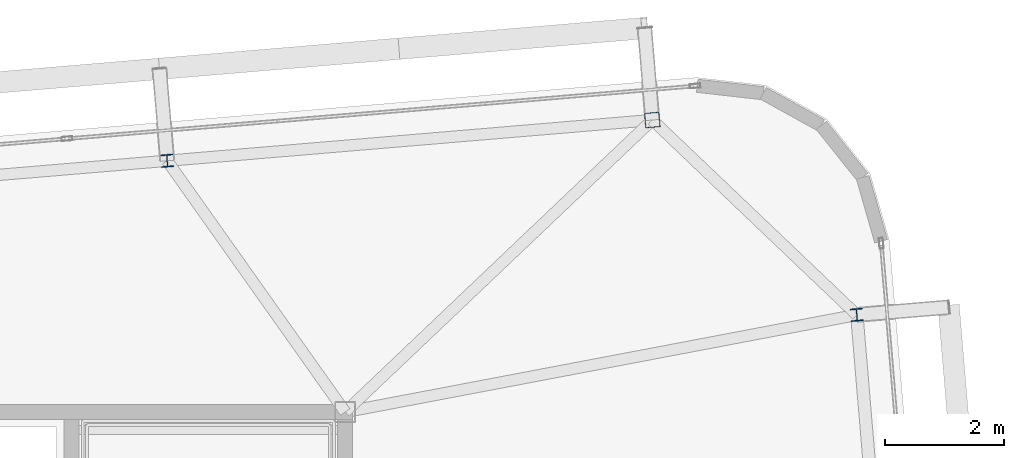
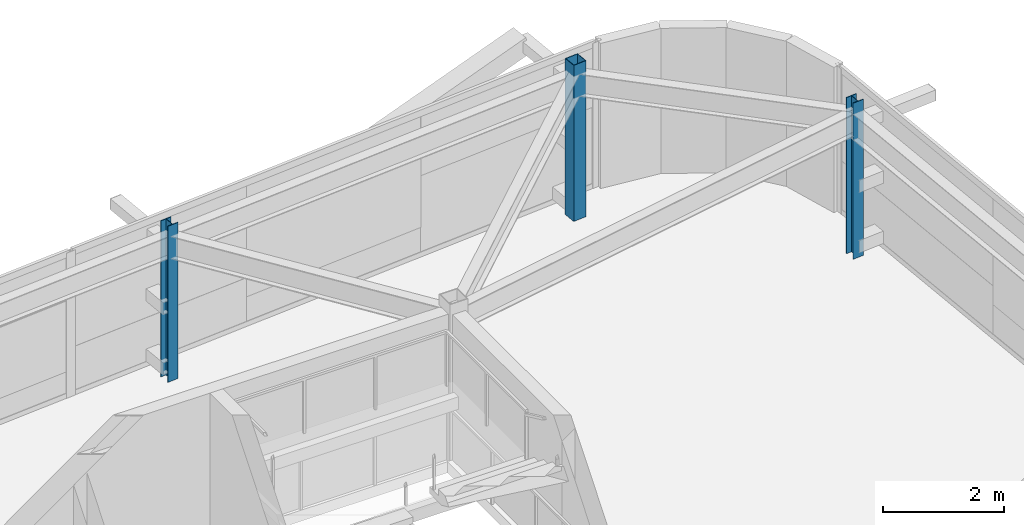
# One storey, part 6 of 39: 3 columns.
"""IFC4 building model written with IfcOpenShell, lengths in metres."""

from ifc_helpers import new_model, si_unit, direction, frame, origin, origin_2d, place, context, subcontext, project, spatial, hollow_rectangle, i_section, extrude, source, transform, mapped, material, material_profile, profile_set, type_object, element, save


model = new_model("IFC4")

# Units and contexts
model_context = context("Model", 3, precision=1e-05, world=origin(), true_north=direction((0.0, 1.0)))
body_context = subcontext(model_context, "Body", "Model", "MODEL_VIEW")
ifc_project = project(units=[si_unit("LENGTHUNIT", "METRE"), si_unit("AREAUNIT", "SQUARE_METRE"), si_unit("VOLUMEUNIT", "CUBIC_METRE"), si_unit("PLANEANGLEUNIT", "RADIAN"), si_unit("MASSUNIT", "GRAM", prefix="KILO")], contexts=[model_context])

# Site, building, storey
site_placement = place(None, origin())
site = spatial("IfcSite", under=ifc_project, at=site_placement, CompositionType="ELEMENT")
building_placement = place(site_placement, origin())
building = spatial("IfcBuilding", under=site, at=building_placement, Name="Taldren Reach Tower", CompositionType="ELEMENT")
storey_placement = place(building_placement, frame((0.0, 0.0, 178.85009765625)))
storey = spatial("IfcBuildingStorey", under=building, at=storey_placement, Name="L54", CompositionType="ELEMENT", Elevation=178.85009765625)

# Columns
ifc_material_1 = material(Name="Steel Gr 350 (C350L0)", Category="steel")
ifc_material_profile_1 = material_profile(ifc_material_1, hollow_rectangle(XDim=0.25, YDim=0.25, WallThickness=0.010009765625, at=origin_2d()), Name="250x250x10.0SHS")
ifc_profile_set_1 = profile_set([ifc_material_profile_1], Name="Steel Gr 350 (C350L0)")
column_type_1 = type_object("IfcColumnType", Name="COL-SHS250", PredefinedType="COLUMN", material=ifc_profile_set_1)
shared_shape_1 = source(origin(), body_context, "Body", "SweptSolid", [
    extrude(hollow_rectangle(XDim=0.25, YDim=0.25, WallThickness=0.010009765625, at=origin_2d()), origin(), (0.0, 0.0, 1.0), 3.14990234375),
])
column_placement = place(storey_placement, frame((56.160400390625, 36.906005859375, 0.0), z_axis=(0.0, 0.0, 1.0), x_axis=(0.99649285925, 0.083677843332, 0.0)))
element("IfcColumn", 1, at=column_placement, inside=storey, type_object=column_type_1, Name="Block B4 perimeter column N6 L54", PredefinedType="COLUMN", context=body_context, shape_type="MappedRepresentation", body=[
    mapped(shared_shape_1, transform((0.0, 0.0, 0.0), scale=1.0)),
])
ifc_material_2 = material(Name="Steel Gr 350 (350PLUS)", Category="steel")
ifc_material_profile_2 = material_profile(ifc_material_2, i_section(OverallWidth=0.205078125, OverallDepth=0.2099609375, WebThickness=0.00927734375, FlangeThickness=0.01416015625, at=origin_2d()), Name="200UC59.5")
ifc_profile_set_2 = profile_set([ifc_material_profile_2], Name="Steel Gr 350 (350PLUS)")
column_type_2 = type_object("IfcColumnType", Name="COL-UC200", PredefinedType="COLUMN", material=ifc_profile_set_2)
shared_shape_2 = source(origin(), body_context, "Body", "SweptSolid", [
    extrude(i_section(OverallWidth=0.205078125, OverallDepth=0.2099609375, WebThickness=0.00927734375, FlangeThickness=0.01416015625, at=origin_2d()), origin(), (0.0, 0.0, 1.0), 3.14990234375),
])
for number, where, z_axis, x_axis, name in (
    (2, (48.009033203125, 36.221435546875, 0.0), (0.0, 0.0, 1.0), (0.99649285925, 0.083677843332, 0.0), "Block B4 perimeter column N5 L54"),
    (3, (59.596435546875, 33.632080078125, 0.0), (0.0, 0.0, 1.0), (0.99649285925, 0.083677843332, 0.0), "Block B4 perimeter column E3 L54"),
):
    element("IfcColumn", number, at=place(storey_placement, frame(where, z_axis=z_axis, x_axis=x_axis)), inside=storey, type_object=column_type_2, Name=name, PredefinedType="COLUMN", context=body_context, shape_type="MappedRepresentation", body=[
        mapped(shared_shape_2, transform((0.0, 0.0, 0.0), scale=1.0)),
    ])

save(model, "model.ifc")
